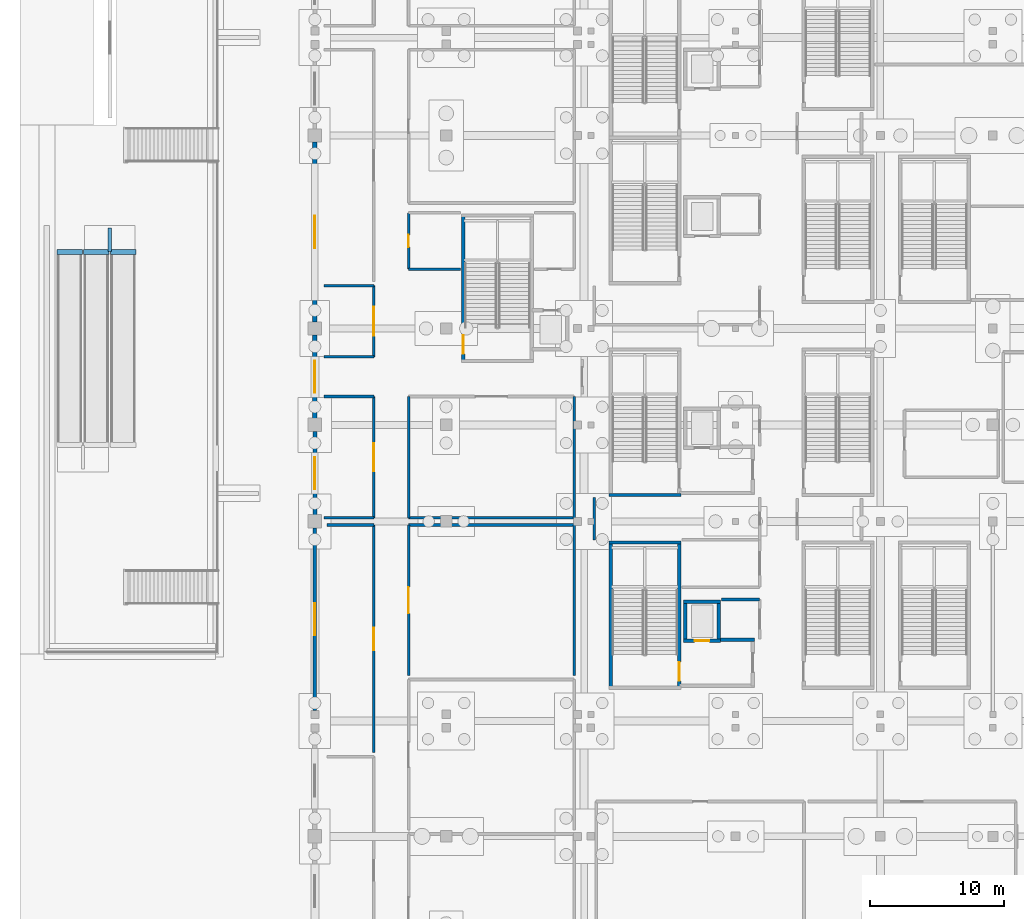
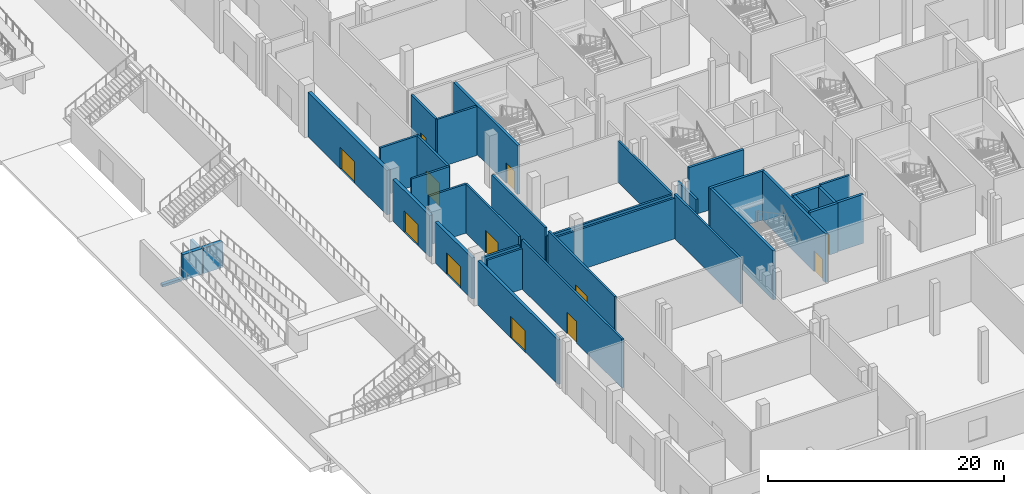
# One storey, part 29 of 89: 36 walls, 12 doors, 12 openings.
"""IFC4 building model written with IfcOpenShell, lengths in metres."""

from ifc_helpers import new_model, si_unit, direction, frame, frame_2d, origin, place, context, subcontext, project, spatial, rectangle, extrude, material, layer, layer_set, type_object, element, fill, save


model = new_model("IFC4")

# Units and contexts
model_context = context("Model", 3, precision=1e-05, world=origin(), true_north=direction((0.0, 1.0)))
body_context = subcontext(model_context, "Body", "Model", "MODEL_VIEW")
ifc_project = project(units=[si_unit("LENGTHUNIT", "METRE"), si_unit("AREAUNIT", "SQUARE_METRE"), si_unit("VOLUMEUNIT", "CUBIC_METRE"), si_unit("PLANEANGLEUNIT", "RADIAN"), si_unit("MASSUNIT", "GRAM", prefix="KILO")], contexts=[model_context])

# Site, building, storey
site_placement = place(None, origin())
site = spatial("IfcSite", under=ifc_project, at=site_placement, CompositionType="ELEMENT")
building_placement = place(site_placement, origin())
building = spatial("IfcBuilding", under=site, at=building_placement, Name="Koshinbarg Plaza Stadium", CompositionType="ELEMENT")
storey_placement = place(building_placement, origin())
storey = spatial("IfcBuildingStorey", under=building, at=storey_placement, Name="L00", CompositionType="ELEMENT", Elevation=0.0)

# Walls
ifc_material_1 = material(Name="Concrete C40/50", Category="concrete")
ifc_layer_1 = layer(ifc_material_1, 0.25)
ifc_layer_set_1 = layer_set([ifc_layer_1], Name="Concrete C40/50")
wall_type_1 = type_object("IfcWallType", Name="WL-CORE-250", PredefinedType="SHEAR", material=ifc_layer_set_1)
wall_1_placement = place(storey_placement, frame((31.320068359375, 38.324951171875, 0.0), z_axis=(0.0, 0.0, 1.0), x_axis=(-1.0, 0.0, 0.0)))
element("IfcWall", 1, at=wall_1_placement, inside=storey, type_object=wall_type_1, Name="L00 core stair shear wall C01-far IWL-L00-0002", PredefinedType="SHEAR", context=body_context, shape_type="SweptSolid", body=[
    extrude(rectangle(XDim=5.3701171875, YDim=0.25, at=frame_2d((2.68505859375, 0.0))), origin(), (0.0, 0.0, 1.0), 5.080078125),
])
wall_2_placement = place(storey_placement, frame((26.074951171875, 27.47509765625, 0.0), z_axis=(0.0, 0.0, 1.0), x_axis=(0.0, 1.0, 0.0)))
element("IfcWall", 2, at=wall_2_placement, inside=storey, type_object=wall_type_1, Name="L00 core stair shear wall C01-left IWL-L00-0003", PredefinedType="SHEAR", context=body_context, shape_type="SweptSolid", body=[
    extrude(rectangle(XDim=10.849853515625, YDim=0.25, at=frame_2d((5.4248046875, 0.0))), origin(), (0.0, 0.0, 1.0), 5.080078125),
])

# Wall, opening, door
wall_3_placement = place(storey_placement, frame((31.195068359375, 27.47509765625, 0.0), z_axis=(0.0, 0.0, 1.0), x_axis=(0.0, 1.0, 0.0)))
wall_3 = element("IfcWall", 3, at=wall_3_placement, inside=storey, type_object=wall_type_1, Name="L00 core stair shear wall C01-right IWL-L00-0004", PredefinedType="SHEAR", context=body_context, shape_type="SweptSolid", body=[
    extrude(rectangle(XDim=10.849853515625, YDim=0.25, at=frame_2d((5.4248046875, 0.0))), origin(), (0.0, 0.0, 1.0), 5.080078125),
])
opening_1_placement = place(wall_3_placement, frame((0.52001953125, 0.0, 0.0)))
opening_1 = element("IfcOpeningElement", 4, at=opening_1_placement, cuts=wall_3, Name="Opening D-0061", PredefinedType="OPENING", context=body_context, shape_type="SweptSolid", body=[
    extrude(rectangle(XDim=1.39990234375, YDim=2.14990234375, at=frame_2d((0.699951171875, 1.074951171875))), frame((0.0, 0.135009765625, 0.0), z_axis=(0.0, -1.0, 0.0), x_axis=(1.0, 0.0, 0.0)), (0.0, 0.0, 1.0), 0.27001953125),
])
ifc_material_2 = material(Name="Painted galvanized steel fire door", Category="steel")
door_type_1 = type_object("IfcDoorType", Name="DR-STAIR-1400", OperationType="NOTDEFINED", PredefinedType="DOOR", material=ifc_material_2)
door_1_placement = place(opening_1_placement, frame((1.39990234375, 0.0, 0.0), z_axis=(0.0, 0.0, 1.0), x_axis=(-1.0, 0.0, 0.0)))
door_1 = element("IfcDoor", 5, at=door_1_placement, inside=storey, type_object=door_type_1, Name="L00 exit stair door C01", OperationType="SINGLE_SWING_LEFT", OverallHeight=2.14990234375, OverallWidth=1.39990234375, PredefinedType="DOOR", context=body_context, shape_type="SweptSolid", body=[
    extrude(rectangle(XDim=1.39990234375, YDim=2.14990234375, at=frame_2d((0.699951171875, 1.074951171875))), frame((0.0, 0.02490234375, 0.0), z_axis=(0.0, -1.0, 0.0), x_axis=(1.0, 0.0, 0.0)), (0.0, 0.0, 1.0), 0.050048828125),
])
fill(opening_1, door_1)

# Wall
wall_4_placement = place(storey_placement, frame((25.949951171875, 41.875, 0.0), z_axis=(0.0, 0.0, 1.0), x_axis=(1.0, 0.0, 0.0)))
element("IfcWall", 6, at=wall_4_placement, inside=storey, type_object=wall_type_1, Name="L00 core stair shear wall C02-near IWL-L00-0029", PredefinedType="SHEAR", context=body_context, shape_type="SweptSolid", body=[
    extrude(rectangle(XDim=5.3701171875, YDim=0.25, at=frame_2d((2.68505859375, 0.0))), origin(), (0.0, 0.0, 1.0), 5.080078125),
])

# Wall, opening, door
wall_5_placement = place(storey_placement, frame((15.074951171875, 51.875, 0.0), z_axis=(0.0, 0.0, 1.0), x_axis=(0.0, 1.0, 0.0)))
wall_5 = element("IfcWall", 7, at=wall_5_placement, inside=storey, type_object=wall_type_1, Name="L00 core stair shear wall C16-left IWL-L00-0344", PredefinedType="SHEAR", context=body_context, shape_type="SweptSolid", body=[
    extrude(rectangle(XDim=10.85009765625, YDim=0.25, at=frame_2d((5.425048828125, 0.0))), origin(), (0.0, 0.0, 1.0), 5.080078125),
])
opening_2_placement = place(wall_5_placement, frame((0.52001953125, 0.0, 0.0)))
opening_2 = element("IfcOpeningElement", 8, at=opening_2_placement, cuts=wall_5, Name="Opening D-0148", PredefinedType="OPENING", context=body_context, shape_type="SweptSolid", body=[
    extrude(rectangle(XDim=1.39990234375, YDim=2.14990234375, at=frame_2d((0.699951171875, 1.074951171875))), frame((0.0, 0.135009765625, 0.0), z_axis=(0.0, -1.0, 0.0), x_axis=(1.0, 0.0, 0.0)), (0.0, 0.0, 1.0), 0.27001953125),
])
door_2_placement = place(opening_2_placement, origin())
door_2 = element("IfcDoor", 9, at=door_2_placement, inside=storey, type_object=door_type_1, Name="L00 exit stair door C16", OperationType="SINGLE_SWING_LEFT", OverallHeight=2.14990234375, OverallWidth=1.39990234375, PredefinedType="DOOR", context=body_context, shape_type="SweptSolid", body=[
    extrude(rectangle(XDim=1.39990234375, YDim=2.14990234375, at=frame_2d((0.699951171875, 1.074951171875))), frame((0.0, 0.02490234375, 0.0), z_axis=(0.0, -1.0, 0.0), x_axis=(1.0, 0.0, 0.0)), (0.0, 0.0, 1.0), 0.050048828125),
])
fill(opening_2, door_2)

wall_6_placement = place(storey_placement, frame((31.52490234375, 31.0, 0.0), z_axis=(0.0, 0.0, 1.0), x_axis=(1.0, 0.0, 0.0)))
wall_6 = element("IfcWall", 10, at=wall_6_placement, inside=storey, type_object=wall_type_1, Name="L00 lift shaft shear wall FL01-S IWL-L00-0610", PredefinedType="SHEAR", context=body_context, shape_type="SweptSolid", body=[
    extrude(rectangle(XDim=2.75, YDim=0.25, at=frame_2d((1.375, 0.0))), origin(), (0.0, 0.0, 1.0), 5.080078125),
])
opening_3_placement = place(wall_6_placement, frame((0.824951171875, 0.0, 0.0)))
opening_3 = element("IfcOpeningElement", 11, at=opening_3_placement, cuts=wall_6, Name="Opening D-0215", PredefinedType="OPENING", context=body_context, shape_type="SweptSolid", body=[
    extrude(rectangle(XDim=1.10009765625, YDim=2.14990234375, at=frame_2d((0.550048828125, 1.074951171875))), frame((0.0, 0.135009765625, 0.0), z_axis=(0.0, -1.0, 0.0), x_axis=(1.0, 0.0, 0.0)), (0.0, 0.0, 1.0), 0.27001953125),
])
ifc_material_3 = material(Name="Brushed stainless steel sliding lift landing door", Category="steel")
door_type_2 = type_object("IfcDoorType", Name="DR-LIFT-1100", OperationType="NOTDEFINED", PredefinedType="DOOR", material=ifc_material_3)
door_3_placement = place(opening_3_placement, origin())
door_3 = element("IfcDoor", 12, at=door_3_placement, inside=storey, type_object=door_type_2, Name="L00 lift landing door FL01", OperationType="SLIDING_TO_RIGHT", OverallHeight=2.14990234375, OverallWidth=1.10009765625, PredefinedType="DOOR", context=body_context, shape_type="SweptSolid", body=[
    extrude(rectangle(XDim=1.10009765625, YDim=2.14990234375, at=frame_2d((0.550048828125, 1.074951171875))), frame((0.0, 0.02490234375, 0.0), z_axis=(0.0, -1.0, 0.0), x_axis=(1.0, 0.0, 0.0)), (0.0, 0.0, 1.0), 0.050048828125),
])
fill(opening_3, door_3)

# Walls
wall_7_placement = place(storey_placement, frame((34.27490234375, 33.89990234375, 0.0), z_axis=(0.0, 0.0, 1.0), x_axis=(-1.0, 0.0, 0.0)))
element("IfcWall", 13, at=wall_7_placement, inside=storey, type_object=wall_type_1, Name="L00 lift shaft shear wall FL01-N IWL-L00-0611", PredefinedType="SHEAR", context=body_context, shape_type="SweptSolid", body=[
    extrude(rectangle(XDim=2.75, YDim=0.25, at=frame_2d((1.375, 0.0))), origin(), (0.0, 0.0, 1.0), 5.080078125),
])
for number, where, z_axis, x_axis, name in (
    (14, (31.64990234375, 33.89990234375, 0.0), (0.0, 0.0, 1.0), (0.0, -1.0, 0.0), "L00 lift shaft shear wall FL01-W IWL-L00-0612"),
    (15, (34.14990234375, 31.0, 0.0), (0.0, 0.0, 1.0), (0.0, 1.0, 0.0), "L00 lift shaft shear wall FL01-E IWL-L00-0613"),
):
    element("IfcWall", number, at=place(storey_placement, frame(where, z_axis=z_axis, x_axis=x_axis)), inside=storey, type_object=wall_type_1, Name=name, PredefinedType="SHEAR", context=body_context, shape_type="SweptSolid", body=[
        extrude(rectangle(XDim=2.89990234375, YDim=0.25, at=frame_2d((1.449951171875, 0.0))), origin(), (0.0, 0.0, 1.0), 5.080078125),
    ])
wall_8_placement = place(storey_placement, frame((34.27490234375, 31.074951171875, 0.0), z_axis=(0.0, 0.0, 1.0), x_axis=(1.0, 0.0, 0.0)))
element("IfcWall", 16, at=wall_8_placement, inside=storey, type_object=wall_type_1, Name="L00 firefighting lobby wall C01-NE IWL-L00-0615", PredefinedType="SHEAR", context=body_context, shape_type="SweptSolid", body=[
    extrude(rectangle(XDim=2.525146484375, YDim=0.25, at=frame_2d((1.2626953125, 0.0))), origin(), (0.0, 0.0, 1.0), 5.080078125),
])

# Wall, opening, door
ifc_material_4 = material(Name="Terracotta-ochre mineral plaster insulated wall", Category="masonry")
ifc_layer_2 = layer(ifc_material_4, 0.280029296875)
ifc_layer_set_2 = layer_set([ifc_layer_2], Name="Terracotta-ochre mineral plaster insulated wall")
wall_type_2 = type_object("IfcWallType", Name="WL-EXT-280", PredefinedType="SOLIDWALL", material=ifc_layer_set_2)
wall_9_placement = place(storey_placement, frame((4.0, 25.794921875, 0.0), z_axis=(0.0, 0.0, 1.0), x_axis=(0.0, 1.0, 0.0)))
wall_9 = element("IfcWall", 17, at=wall_9_placement, inside=storey, type_object=wall_type_2, Name="L00 exterior envelope wall EWL-L00-0004", PredefinedType="SOLIDWALL", context=body_context, shape_type="SweptSolid", body=[
    extrude(rectangle(XDim=13.610107421875, YDim=0.280029296875, at=frame_2d((6.80517578125, 0.0))), origin(), (0.0, 0.0, 1.0), 4.610107421875),
])
opening_4_placement = place(wall_9_placement, frame((5.60498046875, 0.0, 0.0)))
opening_4 = element("IfcOpeningElement", 18, at=opening_4_placement, cuts=wall_9, Name="Opening D-0005", PredefinedType="OPENING", context=body_context, shape_type="SweptSolid", body=[
    extrude(rectangle(XDim=2.39990234375, YDim=2.199951171875, at=frame_2d((1.199951171875, 1.10009765625))), frame((0.0, 0.14990234375, 0.0), z_axis=(0.0, -1.0, 0.0), x_axis=(1.0, 0.0, 0.0)), (0.0, 0.0, 1.0), 0.300048828125),
])
ifc_material_5 = material(Name="Anodised aluminium thermally broken exit door", Category="aluminium")
door_type_3 = type_object("IfcDoorType", Name="DR-EXIT-2400", OperationType="NOTDEFINED", PredefinedType="DOOR", material=ifc_material_5)
door_4_placement = place(opening_4_placement, origin())
door_4 = element("IfcDoor", 19, at=door_4_placement, inside=storey, type_object=door_type_3, Name="Main exit E04", OperationType="DOUBLE_DOOR_SINGLE_SWING", OverallHeight=2.199951171875, OverallWidth=2.39990234375, PredefinedType="DOOR", context=body_context, shape_type="SweptSolid", body=[
    extrude(rectangle(XDim=2.39990234375, YDim=2.199951171875, at=frame_2d((1.199951171875, 1.10009765625))), frame((0.0, 0.02490234375, 0.0), z_axis=(0.0, -1.0, 0.0), x_axis=(1.0, 0.0, 0.0)), (0.0, 0.0, 1.0), 0.050048828125),
])
fill(opening_4, door_4)

ifc_material_6 = material(Name="Off-white mineral plaster insulated wall", Category="masonry")
ifc_layer_3 = layer(ifc_material_6, 0.300048828125)
ifc_layer_set_3 = layer_set([ifc_layer_3], Name="Off-white mineral plaster insulated wall")
wall_type_3 = type_object("IfcWallType", Name="WL-EXT-300", PredefinedType="SOLIDWALL", material=ifc_layer_set_3)
wall_10_placement = place(storey_placement, frame((4.0, 40.39501953125, 0.0), z_axis=(0.0, 0.0, 1.0), x_axis=(0.0, 1.0, 0.0)))
wall_10 = element("IfcWall", 20, at=wall_10_placement, inside=storey, type_object=wall_type_3, Name="L00 exterior envelope wall EWL-L00-0005", PredefinedType="SOLIDWALL", context=body_context, shape_type="SweptSolid", body=[
    extrude(rectangle(XDim=6.2099609375, YDim=0.300048828125, at=frame_2d((3.10498046875, 0.0))), origin(), (0.0, 0.0, 1.0), 4.260009765625),
])
opening_5_placement = place(wall_10_placement, frame((1.905029296875, 0.0, 0.0)))
opening_5 = element("IfcOpeningElement", 21, at=opening_5_placement, cuts=wall_10, Name="Opening D-0006", PredefinedType="OPENING", context=body_context, shape_type="SweptSolid", body=[
    extrude(rectangle(XDim=2.39990234375, YDim=2.199951171875, at=frame_2d((1.199951171875, 1.10009765625))), frame((0.0, 0.159912109375, 0.0), z_axis=(0.0, -1.0, 0.0), x_axis=(1.0, 0.0, 0.0)), (0.0, 0.0, 1.0), 0.320068359375),
])
door_5_placement = place(opening_5_placement, origin())
door_5 = element("IfcDoor", 22, at=door_5_placement, inside=storey, type_object=door_type_3, Name="Main exit E05", OperationType="DOUBLE_DOOR_SINGLE_SWING", OverallHeight=2.199951171875, OverallWidth=2.39990234375, PredefinedType="DOOR", context=body_context, shape_type="SweptSolid", body=[
    extrude(rectangle(XDim=2.39990234375, YDim=2.199951171875, at=frame_2d((1.199951171875, 1.10009765625))), frame((0.0, 0.02490234375, 0.0), z_axis=(0.0, -1.0, 0.0), x_axis=(1.0, 0.0, 0.0)), (0.0, 0.0, 1.0), 0.050048828125),
])
fill(opening_5, door_5)

ifc_material_7 = material(Name="Ultramarine-blue pigmented mineral plaster facade wall", Category="masonry")
ifc_layer_4 = layer(ifc_material_7, 0.320068359375)
ifc_layer_set_4 = layer_set([ifc_layer_4], Name="Ultramarine-blue pigmented mineral plaster facade wall")
wall_type_4 = type_object("IfcWallType", Name="WL-EXT-320", PredefinedType="SOLIDWALL", material=ifc_layer_set_4)
wall_11_placement = place(storey_placement, frame((4.0, 47.594970703125, 0.0), z_axis=(0.0, 0.0, 1.0), x_axis=(0.0, 1.0, 0.0)))
wall_11 = element("IfcWall", 23, at=wall_11_placement, inside=storey, type_object=wall_type_4, Name="L00 exterior envelope wall EWL-L00-0006", PredefinedType="SOLIDWALL", context=body_context, shape_type="SweptSolid", body=[
    extrude(rectangle(XDim=6.2099609375, YDim=0.320068359375, at=frame_2d((3.10498046875, 0.0))), origin(), (0.0, 0.0, 1.0), 4.31005859375),
])
opening_6_placement = place(wall_11_placement, frame((1.905029296875, 0.0, 0.0)))
opening_6 = element("IfcOpeningElement", 24, at=opening_6_placement, cuts=wall_11, Name="Opening D-0007", PredefinedType="OPENING", context=body_context, shape_type="SweptSolid", body=[
    extrude(rectangle(XDim=2.39990234375, YDim=2.199951171875, at=frame_2d((1.199951171875, 1.10009765625))), frame((0.0, 0.169921875, 0.0), z_axis=(0.0, -1.0, 0.0), x_axis=(1.0, 0.0, 0.0)), (0.0, 0.0, 1.0), 0.340087890625),
])
door_6_placement = place(opening_6_placement, origin())
door_6 = element("IfcDoor", 25, at=door_6_placement, inside=storey, type_object=door_type_3, Name="Main exit E06", OperationType="DOUBLE_DOOR_SINGLE_SWING", OverallHeight=2.199951171875, OverallWidth=2.39990234375, PredefinedType="DOOR", context=body_context, shape_type="SweptSolid", body=[
    extrude(rectangle(XDim=2.39990234375, YDim=2.199951171875, at=frame_2d((1.199951171875, 1.10009765625))), frame((0.0, 0.02490234375, 0.0), z_axis=(0.0, -1.0, 0.0), x_axis=(1.0, 0.0, 0.0)), (0.0, 0.0, 1.0), 0.050048828125),
])
fill(opening_6, door_6)

ifc_material_8 = material(Name="Acoustic insulated masonry stadium wall", Category="masonry")
ifc_layer_5 = layer(ifc_material_8, 0.35009765625)
ifc_layer_set_5 = layer_set([ifc_layer_5], Name="Acoustic insulated masonry stadium wall")
wall_type_5 = type_object("IfcWallType", Name="WL-EXT-350", PredefinedType="SOLIDWALL", material=ifc_layer_set_5)
wall_12_placement = place(storey_placement, frame((4.0, 54.794921875, 0.0), z_axis=(0.0, 0.0, 1.0), x_axis=(0.0, 1.0, 0.0)))
wall_12 = element("IfcWall", 26, at=wall_12_placement, inside=storey, type_object=wall_type_5, Name="L00 exterior envelope wall EWL-L00-0007", PredefinedType="SOLIDWALL", context=body_context, shape_type="SweptSolid", body=[
    extrude(rectangle(XDim=13.41015625, YDim=0.35009765625, at=frame_2d((6.705078125, 0.0))), origin(), (0.0, 0.0, 1.0), 4.610107421875),
])
opening_7_placement = place(wall_12_placement, frame((5.5048828125, 0.0, 0.0)))
opening_7 = element("IfcOpeningElement", 27, at=opening_7_placement, cuts=wall_12, Name="Opening D-0008", PredefinedType="OPENING", context=body_context, shape_type="SweptSolid", body=[
    extrude(rectangle(XDim=2.39990234375, YDim=2.199951171875, at=frame_2d((1.199951171875, 1.10009765625))), frame((0.0, 0.18505859375, 0.0), z_axis=(0.0, -1.0, 0.0), x_axis=(1.0, 0.0, 0.0)), (0.0, 0.0, 1.0), 0.3701171875),
])
door_7_placement = place(opening_7_placement, origin())
door_7 = element("IfcDoor", 28, at=door_7_placement, inside=storey, type_object=door_type_3, Name="Main exit E07", OperationType="DOUBLE_DOOR_SINGLE_SWING", OverallHeight=2.199951171875, OverallWidth=2.39990234375, PredefinedType="DOOR", context=body_context, shape_type="SweptSolid", body=[
    extrude(rectangle(XDim=2.39990234375, YDim=2.199951171875, at=frame_2d((1.199951171875, 1.10009765625))), frame((0.0, 0.02490234375, 0.0), z_axis=(0.0, -1.0, 0.0), x_axis=(1.0, 0.0, 0.0)), (0.0, 0.0, 1.0), 0.050048828125),
])
fill(opening_7, door_7)

# Walls
ifc_material_9 = material(Name="Autoclaved aerated blockwork fire partition", Category="masonry")
ifc_layer_6 = layer(ifc_material_9, 0.199951171875)
ifc_layer_set_6 = layer_set([ifc_layer_6], Name="Autoclaved aerated blockwork fire partition")
wall_type_6 = type_object("IfcWallType", Name="WL-PART-200", PredefinedType="PARTITIONING", material=ifc_layer_set_6)
wall_13_placement = place(storey_placement, frame((37.199951171875, 34.080078125, 0.0), z_axis=(0.0, 0.0, 1.0), x_axis=(-1.0, 0.0, 0.0)))
element("IfcWall", 29, at=wall_13_placement, inside=storey, type_object=wall_type_6, Name="L00 interior partition L00-72-north IWL-L00-1069", PredefinedType="PARTITIONING", context=body_context, shape_type="SweptSolid", body=[
    extrude(rectangle(XDim=2.869873046875, YDim=0.199951171875, at=frame_2d((1.43505859375, 0.0))), origin(), (0.0, 0.0, 1.0), 5.080078125),
])
wall_14_placement = place(storey_placement, frame((24.844970703125, 41.669921875, 0.0), z_axis=(0.0, 0.0, 1.0), x_axis=(0.0, -1.0, 0.0)))
element("IfcWall", 30, at=wall_14_placement, inside=storey, type_object=wall_type_6, Name="L00 interior partition L00-73-west IWL-L00-1071", PredefinedType="PARTITIONING", context=body_context, shape_type="SweptSolid", body=[
    extrude(rectangle(XDim=3.139892578125, YDim=0.199951171875, at=frame_2d((1.56982421875, 0.0))), origin(), (0.0, 0.0, 1.0), 4.159912109375),
])

# Wall, opening, door
wall_15_placement = place(storey_placement, frame((8.39990234375, 22.639892578125, 0.0), z_axis=(0.0, 0.0, 1.0), x_axis=(0.0, 1.0, 0.0)))
wall_15 = element("IfcWall", 31, at=wall_15_placement, inside=storey, type_object=wall_type_6, Name="L00 interior partition L00-159-east IWL-L00-1305", PredefinedType="PARTITIONING", context=body_context, shape_type="SweptSolid", body=[
    extrude(rectangle(XDim=16.989990234375, YDim=0.199951171875, at=frame_2d((8.4951171875, 0.0))), origin(), (0.0, 0.0, 1.0), 5.080078125),
])
opening_8_placement = place(wall_15_placement, frame((7.655029296875, 0.0, 0.0)))
opening_8 = element("IfcOpeningElement", 32, at=opening_8_placement, cuts=wall_15, Name="Opening D-0428", PredefinedType="OPENING", context=body_context, shape_type="SweptSolid", body=[
    extrude(rectangle(XDim=1.679931640625, YDim=2.25, at=frame_2d((0.83984375, 1.125))), frame((0.0, 0.10986328125, 0.0), z_axis=(0.0, -1.0, 0.0), x_axis=(1.0, 0.0, 0.0)), (0.0, 0.0, 1.0), 0.219970703125),
])
ifc_material_10 = material(Name="Powder-coated aluminium double glazed door", Category="aluminium")
door_type_4 = type_object("IfcDoorType", Name="DR-INT-1680x2250", OperationType="NOTDEFINED", PredefinedType="DOOR", material=ifc_material_10)
door_8_placement = place(opening_8_placement, origin())
door_8 = element("IfcDoor", 33, at=door_8_placement, inside=storey, type_object=door_type_4, Name="L00 VIP and Media Accreditation Hall door D-0428", OperationType="DOUBLE_DOOR_SINGLE_SWING", OverallHeight=2.25, OverallWidth=1.679931640625, PredefinedType="DOOR", context=body_context, shape_type="SweptSolid", body=[
    extrude(rectangle(XDim=1.679931640625, YDim=2.25, at=frame_2d((0.83984375, 1.125))), frame((0.0, 0.02490234375, 0.0), z_axis=(0.0, -1.0, 0.0), x_axis=(1.0, 0.0, 0.0)), (0.0, 0.0, 1.0), 0.050048828125),
])
fill(opening_8, door_8)

# Walls
wall_16_placement = place(storey_placement, frame((8.39990234375, 39.6298828125, 0.0), z_axis=(0.0, 0.0, 1.0), x_axis=(-1.0, 0.0, 0.0)))
element("IfcWall", 34, at=wall_16_placement, inside=storey, type_object=wall_type_6, Name="L00 interior partition L00-159-north IWL-L00-1306", PredefinedType="PARTITIONING", context=body_context, shape_type="SweptSolid", body=[
    extrude(rectangle(XDim=3.5, YDim=0.199951171875, at=frame_2d((1.75, 0.0))), origin(), (0.0, 0.0, 1.0), 4.2099609375),
])
wall_17_placement = place(storey_placement, frame((23.35498046875, 28.4033203125, 0.0), z_axis=(0.0, 0.0, 1.0), x_axis=(0.0, 1.0, 0.0)))
element("IfcWall", 35, at=wall_17_placement, inside=storey, type_object=wall_type_6, Name="L00 interior partition L00-162-east IWL-L00-1314", PredefinedType="PARTITIONING", context=body_context, shape_type="SweptSolid", body=[
    extrude(rectangle(XDim=11.2265625, YDim=0.199951171875, at=frame_2d((5.61328125, 0.0))), origin(), (0.0, 0.0, 1.0), 4.610107421875),
])
wall_18_placement = place(storey_placement, frame((23.35498046875, 39.6298828125, 0.0), z_axis=(0.0, 0.0, 1.0), x_axis=(-1.0, 0.0, 0.0)))
element("IfcWall", 36, at=wall_18_placement, inside=storey, type_object=wall_type_6, Name="L00 interior partition L00-162-north IWL-L00-1315", PredefinedType="PARTITIONING", context=body_context, shape_type="SweptSolid", body=[
    extrude(rectangle(XDim=12.35498046875, YDim=0.199951171875, at=frame_2d((6.177490234375, 0.0))), origin(), (0.0, 0.0, 1.0), 4.2099609375),
])

# Wall, opening, door
wall_19_placement = place(storey_placement, frame((11.0, 39.6298828125, 0.0), z_axis=(0.0, 0.0, 1.0), x_axis=(0.0, -1.0, 0.0)))
wall_19 = element("IfcWall", 37, at=wall_19_placement, inside=storey, type_object=wall_type_6, Name="L00 interior partition L00-162-west IWL-L00-1316", PredefinedType="PARTITIONING", context=body_context, shape_type="SweptSolid", body=[
    extrude(rectangle(XDim=11.2265625, YDim=0.199951171875, at=frame_2d((5.61328125, 0.0))), origin(), (0.0, 0.0, 1.0), 5.080078125),
])
opening_9_placement = place(wall_19_placement, frame((4.63330078125, 0.0, 0.0)))
opening_9 = element("IfcOpeningElement", 38, at=opening_9_placement, cuts=wall_19, Name="Opening D-0431", PredefinedType="OPENING", context=body_context, shape_type="SweptSolid", body=[
    extrude(rectangle(XDim=1.9599609375, YDim=2.300048828125, at=frame_2d((0.97998046875, 1.14990234375))), frame((0.0, 0.10986328125, 0.0), z_axis=(0.0, -1.0, 0.0), x_axis=(1.0, 0.0, 0.0)), (0.0, 0.0, 1.0), 0.219970703125),
])
ifc_material_11 = material(Name="Bronze-anodised aluminium glazed double door", Category="aluminium")
door_type_5 = type_object("IfcDoorType", Name="DR-INT-1960x2300", OperationType="NOTDEFINED", PredefinedType="DOOR", material=ifc_material_11)
door_9_placement = place(opening_9_placement, origin())
door_9 = element("IfcDoor", 39, at=door_9_placement, inside=storey, type_object=door_type_5, Name="L00 Hospitality Welcome Salon door D-0431", OperationType="DOUBLE_DOOR_SINGLE_SWING", OverallHeight=2.300048828125, OverallWidth=1.9599609375, PredefinedType="DOOR", context=body_context, shape_type="SweptSolid", body=[
    extrude(rectangle(XDim=1.9599609375, YDim=2.300048828125, at=frame_2d((0.97998046875, 1.14990234375))), frame((0.0, 0.02490234375, 0.0), z_axis=(0.0, -1.0, 0.0), x_axis=(1.0, 0.0, 0.0)), (0.0, 0.0, 1.0), 0.050048828125),
])
fill(opening_9, door_9)

# Wall
wall_20_placement = place(storey_placement, frame((4.699951171875, 40.169921875, 0.0), z_axis=(0.0, 0.0, 1.0), x_axis=(1.0, 0.0, 0.0)))
element("IfcWall", 40, at=wall_20_placement, inside=storey, type_object=wall_type_6, Name="L00 interior partition L00-163-south IWL-L00-1317", PredefinedType="PARTITIONING", context=body_context, shape_type="SweptSolid", body=[
    extrude(rectangle(XDim=3.699951171875, YDim=0.199951171875, at=frame_2d((1.85009765625, 0.0))), origin(), (0.0, 0.0, 1.0), 4.2099609375),
])

# Wall, opening, door
wall_21_placement = place(storey_placement, frame((8.39990234375, 40.169921875, 0.0), z_axis=(0.0, 0.0, 1.0), x_axis=(0.0, 1.0, 0.0)))
wall_21 = element("IfcWall", 41, at=wall_21_placement, inside=storey, type_object=wall_type_6, Name="L00 interior partition L00-163-east IWL-L00-1318", PredefinedType="PARTITIONING", context=body_context, shape_type="SweptSolid", body=[
    extrude(rectangle(XDim=9.050048828125, YDim=0.199951171875, at=frame_2d((4.52490234375, 0.0))), origin(), (0.0, 0.0, 1.0), 5.080078125),
])
opening_10_placement = place(wall_21_placement, frame((3.485107421875, 0.0, 0.0)))
opening_10 = element("IfcOpeningElement", 42, at=opening_10_placement, cuts=wall_21, Name="Opening D-0432", PredefinedType="OPENING", context=body_context, shape_type="SweptSolid", body=[
    extrude(rectangle(XDim=2.080078125, YDim=2.35009765625, at=frame_2d((1.0400390625, 1.175048828125))), frame((0.0, 0.10986328125, 0.0), z_axis=(0.0, -1.0, 0.0), x_axis=(1.0, 0.0, 0.0)), (0.0, 0.0, 1.0), 0.219970703125),
])
ifc_material_12 = material(Name="Laminated safety glass aluminium vestibule door", Category="aluminium")
door_type_6 = type_object("IfcDoorType", Name="DR-INT-2080x2350", OperationType="NOTDEFINED", PredefinedType="DOOR", material=ifc_material_12)
door_10_placement = place(opening_10_placement, origin())
door_10 = element("IfcDoor", 43, at=door_10_placement, inside=storey, type_object=door_type_6, Name="L00 VIP and Media Accreditation Hall door D-0432", OperationType="DOUBLE_DOOR_SINGLE_SWING", OverallHeight=2.35009765625, OverallWidth=2.080078125, PredefinedType="DOOR", context=body_context, shape_type="SweptSolid", body=[
    extrude(rectangle(XDim=2.080078125, YDim=2.35009765625, at=frame_2d((1.0400390625, 1.175048828125))), frame((0.0, 0.02490234375, 0.0), z_axis=(0.0, -1.0, 0.0), x_axis=(1.0, 0.0, 0.0)), (0.0, 0.0, 1.0), 0.050048828125),
])
fill(opening_10, door_10)

# Walls
for number, where, z_axis, x_axis, name in (
    (44, (8.39990234375, 49.219970703125, 0.0), (0.0, 0.0, 1.0), (-1.0, 0.0, 0.0), "L00 interior partition L00-163-north IWL-L00-1319"),
    (45, (4.699951171875, 52.179931640625, 0.0), (0.0, 0.0, 1.0), (1.0, 0.0, 0.0), "L00 interior partition L00-164-south IWL-L00-1320"),
):
    element("IfcWall", number, at=place(storey_placement, frame(where, z_axis=z_axis, x_axis=x_axis)), inside=storey, type_object=wall_type_6, Name=name, PredefinedType="PARTITIONING", context=body_context, shape_type="SweptSolid", body=[
        extrude(rectangle(XDim=3.699951171875, YDim=0.199951171875, at=frame_2d((1.85009765625, 0.0))), origin(), (0.0, 0.0, 1.0), 5.080078125),
    ])

# Wall, opening, door
wall_22_placement = place(storey_placement, frame((8.39990234375, 52.179931640625, 0.0), z_axis=(0.0, 0.0, 1.0), x_axis=(0.0, 1.0, 0.0)))
wall_22 = element("IfcWall", 46, at=wall_22_placement, inside=storey, type_object=wall_type_6, Name="L00 interior partition L00-164-east IWL-L00-1321", PredefinedType="PARTITIONING", context=body_context, shape_type="SweptSolid", body=[
    extrude(rectangle(XDim=5.3076171875, YDim=0.199951171875, at=frame_2d((2.65380859375, 0.0))), origin(), (0.0, 0.0, 1.0), 5.080078125),
])
opening_11_placement = place(wall_22_placement, frame((1.57373046875, 0.0, 0.0)))
opening_11 = element("IfcOpeningElement", 47, at=opening_11_placement, cuts=wall_22, Name="Opening D-0433", PredefinedType="OPENING", context=body_context, shape_type="SweptSolid", body=[
    extrude(rectangle(XDim=2.159912109375, YDim=2.35009765625, at=frame_2d((1.080078125, 1.175048828125))), frame((0.0, 0.10986328125, 0.0), z_axis=(0.0, -1.0, 0.0), x_axis=(1.0, 0.0, 0.0)), (0.0, 0.0, 1.0), 0.219970703125),
])
ifc_material_13 = material(Name="Galvanized painted steel double leaf door", Category="steel")
door_type_7 = type_object("IfcDoorType", Name="DR-INT-2160x2350", OperationType="NOTDEFINED", PredefinedType="DOOR", material=ifc_material_13)
door_11_placement = place(opening_11_placement, origin())
door_11 = element("IfcDoor", 48, at=door_11_placement, inside=storey, type_object=door_type_7, Name="L00 Southwest Ceremonial Concourse door D-0433", OperationType="DOUBLE_DOOR_SINGLE_SWING", OverallHeight=2.35009765625, OverallWidth=2.159912109375, PredefinedType="DOOR", context=body_context, shape_type="SweptSolid", body=[
    extrude(rectangle(XDim=2.159912109375, YDim=2.35009765625, at=frame_2d((1.080078125, 1.175048828125))), frame((0.0, 0.02490234375, 0.0), z_axis=(0.0, -1.0, 0.0), x_axis=(1.0, 0.0, 0.0)), (0.0, 0.0, 1.0), 0.050048828125),
])
fill(opening_11, door_11)

# Walls
wall_23_placement = place(storey_placement, frame((8.39990234375, 57.487548828125, 0.0), z_axis=(0.0, 0.0, 1.0), x_axis=(-1.0, 0.0, 0.0)))
element("IfcWall", 49, at=wall_23_placement, inside=storey, type_object=wall_type_6, Name="L00 interior partition L00-164-north IWL-L00-1322", PredefinedType="PARTITIONING", context=body_context, shape_type="SweptSolid", body=[
    extrude(rectangle(XDim=3.699951171875, YDim=0.199951171875, at=frame_2d((1.85009765625, 0.0))), origin(), (0.0, 0.0, 1.0), 5.080078125),
])
wall_24_placement = place(storey_placement, frame((11.0, 40.169921875, 0.0), z_axis=(0.0, 0.0, 1.0), x_axis=(1.0, 0.0, 0.0)))
element("IfcWall", 50, at=wall_24_placement, inside=storey, type_object=wall_type_6, Name="L00 interior partition L00-166-south IWL-L00-1325", PredefinedType="PARTITIONING", context=body_context, shape_type="SweptSolid", body=[
    extrude(rectangle(XDim=12.35498046875, YDim=0.199951171875, at=frame_2d((6.177490234375, 0.0))), origin(), (0.0, 0.0, 1.0), 4.2099609375),
])
wall_25_placement = place(storey_placement, frame((23.35498046875, 40.169921875, 0.0), z_axis=(0.0, 0.0, 1.0), x_axis=(0.0, 1.0, 0.0)))
element("IfcWall", 51, at=wall_25_placement, inside=storey, type_object=wall_type_6, Name="L00 interior partition L00-166-east IWL-L00-1326", PredefinedType="PARTITIONING", context=body_context, shape_type="SweptSolid", body=[
    extrude(rectangle(XDim=9.050048828125, YDim=0.199951171875, at=frame_2d((4.52490234375, 0.0))), origin(), (0.0, 0.0, 1.0), 4.31005859375),
])
wall_26_placement = place(storey_placement, frame((11.0, 49.219970703125, 0.0), z_axis=(0.0, 0.0, 1.0), x_axis=(0.0, -1.0, 0.0)))
element("IfcWall", 52, at=wall_26_placement, inside=storey, type_object=wall_type_6, Name="L00 interior partition L00-166-west IWL-L00-1328", PredefinedType="PARTITIONING", context=body_context, shape_type="SweptSolid", body=[
    extrude(rectangle(XDim=9.050048828125, YDim=0.199951171875, at=frame_2d((4.52490234375, 0.0))), origin(), (0.0, 0.0, 1.0), 5.080078125),
])
wall_27_placement = place(storey_placement, frame((11.0, 58.72998046875, 0.0), z_axis=(0.0, 0.0, 1.0), x_axis=(1.0, 0.0, 0.0)))
element("IfcWall", 53, at=wall_27_placement, inside=storey, type_object=wall_type_6, Name="L00 interior partition L00-167-south IWL-L00-1329", PredefinedType="PARTITIONING", context=body_context, shape_type="SweptSolid", body=[
    extrude(rectangle(XDim=3.8701171875, YDim=0.199951171875, at=frame_2d((1.93505859375, 0.0))), origin(), (0.0, 0.0, 1.0), 5.080078125),
])

# Wall, opening, door
wall_28_placement = place(storey_placement, frame((11.0, 62.929931640625, 0.0), z_axis=(0.0, 0.0, 1.0), x_axis=(0.0, -1.0, 0.0)))
wall_28 = element("IfcWall", 54, at=wall_28_placement, inside=storey, type_object=wall_type_6, Name="L00 interior partition L00-167-west IWL-L00-1331", PredefinedType="PARTITIONING", context=body_context, shape_type="SweptSolid", body=[
    extrude(rectangle(XDim=4.199951171875, YDim=0.199951171875, at=frame_2d((2.10009765625, 0.0))), origin(), (0.0, 0.0, 1.0), 5.080078125),
])
opening_12_placement = place(wall_28_placement, frame((1.639892578125, 0.0, 0.0)))
opening_12 = element("IfcOpeningElement", 55, at=opening_12_placement, cuts=wall_28, Name="Opening D-0436", PredefinedType="OPENING", context=body_context, shape_type="SweptSolid", body=[
    extrude(rectangle(XDim=0.919921875, YDim=2.10009765625, at=frame_2d((0.4599609375, 1.050048828125))), frame((0.0, 0.10986328125, 0.0), z_axis=(0.0, -1.0, 0.0), x_axis=(1.0, 0.0, 0.0)), (0.0, 0.0, 1.0), 0.219970703125),
])
ifc_material_14 = material(Name="Solid-core oak veneer acoustic door")
door_type_8 = type_object("IfcDoorType", Name="DR-INT-0920x2100", OperationType="NOTDEFINED", PredefinedType="DOOR", material=ifc_material_14)
door_12_placement = place(opening_12_placement, origin())
door_12 = element("IfcDoor", 56, at=door_12_placement, inside=storey, type_object=door_type_8, Name="L00 Hospitality Welcome Salon door D-0436", OperationType="SINGLE_SWING_RIGHT", OverallHeight=2.10009765625, OverallWidth=0.919921875, PredefinedType="DOOR", context=body_context, shape_type="SweptSolid", body=[
    extrude(rectangle(XDim=0.919921875, YDim=2.10009765625, at=frame_2d((0.4599609375, 1.050048828125))), frame((0.0, 0.02490234375, 0.0), z_axis=(0.0, -1.0, 0.0), x_axis=(1.0, 0.0, 0.0)), (0.0, 0.0, 1.0), 0.050048828125),
])
fill(opening_12, door_12)

# Walls
ifc_material_15 = material(Name="Concrete C35/45", Category="concrete")
ifc_layer_7 = layer(ifc_material_15, 0.39990234375)
ifc_layer_set_7 = layer_set([ifc_layer_7], Name="Concrete C35/45")
wall_type_7 = type_object("IfcWallType", Name="WL-RET-400", PredefinedType="USERDEFINED", material=ifc_layer_set_7)
wall_29_placement = place(storey_placement, frame((-15.25, 60.0, -3.85009765625), z_axis=(0.0, 0.0, 1.0), x_axis=(1.0, 0.0, 0.0)))
element("IfcWall", 57, at=wall_29_placement, inside=storey, type_object=wall_type_7, Name="RMP-FC-S1 lower end bearing wall", ObjectType="RETAININGWALL", PredefinedType="USERDEFINED", context=body_context, shape_type="SweptSolid", body=[
    extrude(rectangle(XDim=1.89990234375, YDim=0.35009765625, at=frame_2d((0.949951171875, 0.0))), origin(), (0.0, 0.0, 1.0), 0.25),
])
wall_30_placement = place(storey_placement, frame((-13.25, 60.0, -3.85009765625), z_axis=(0.0, 0.0, 1.0), x_axis=(1.0, 0.0, 0.0)))
element("IfcWall", 58, at=wall_30_placement, inside=storey, type_object=wall_type_7, Name="RMP-FC-S2 upper end bearing wall", ObjectType="RETAININGWALL", PredefinedType="USERDEFINED", context=body_context, shape_type="SweptSolid", body=[
    extrude(rectangle(XDim=1.89990234375, YDim=0.35009765625, at=frame_2d((0.949951171875, 0.0))), origin(), (0.0, 0.0, 1.0), 2.650146484375),
])
wall_31_placement = place(storey_placement, frame((-11.300048828125, 60.050048828125, -3.85009765625), z_axis=(0.0, 0.0, 1.0), x_axis=(0.0, 1.0, 0.0)))
element("IfcWall", 59, at=wall_31_placement, inside=storey, type_object=wall_type_7, Name="RMP-FC-S2 landing centre pier", ObjectType="RETAININGWALL", PredefinedType="USERDEFINED", context=body_context, shape_type="SweptSolid", body=[
    extrude(rectangle(XDim=1.75, YDim=0.25, at=frame_2d((0.875, 0.0))), origin(), (0.0, 0.0, 1.0), 2.43017578125),
])
wall_32_placement = place(storey_placement, frame((-11.25, 60.0, -3.85009765625), z_axis=(0.0, 0.0, 1.0), x_axis=(1.0, 0.0, 0.0)))
element("IfcWall", 60, at=wall_32_placement, inside=storey, type_object=wall_type_7, Name="RMP-FC-S3 lower end bearing wall", ObjectType="RETAININGWALL", PredefinedType="USERDEFINED", context=body_context, shape_type="SweptSolid", body=[
    extrude(rectangle(XDim=1.89990234375, YDim=0.35009765625, at=frame_2d((0.949951171875, 0.0))), origin(), (0.0, 0.0, 1.0), 2.650146484375),
])

save(model, "model.ifc")
